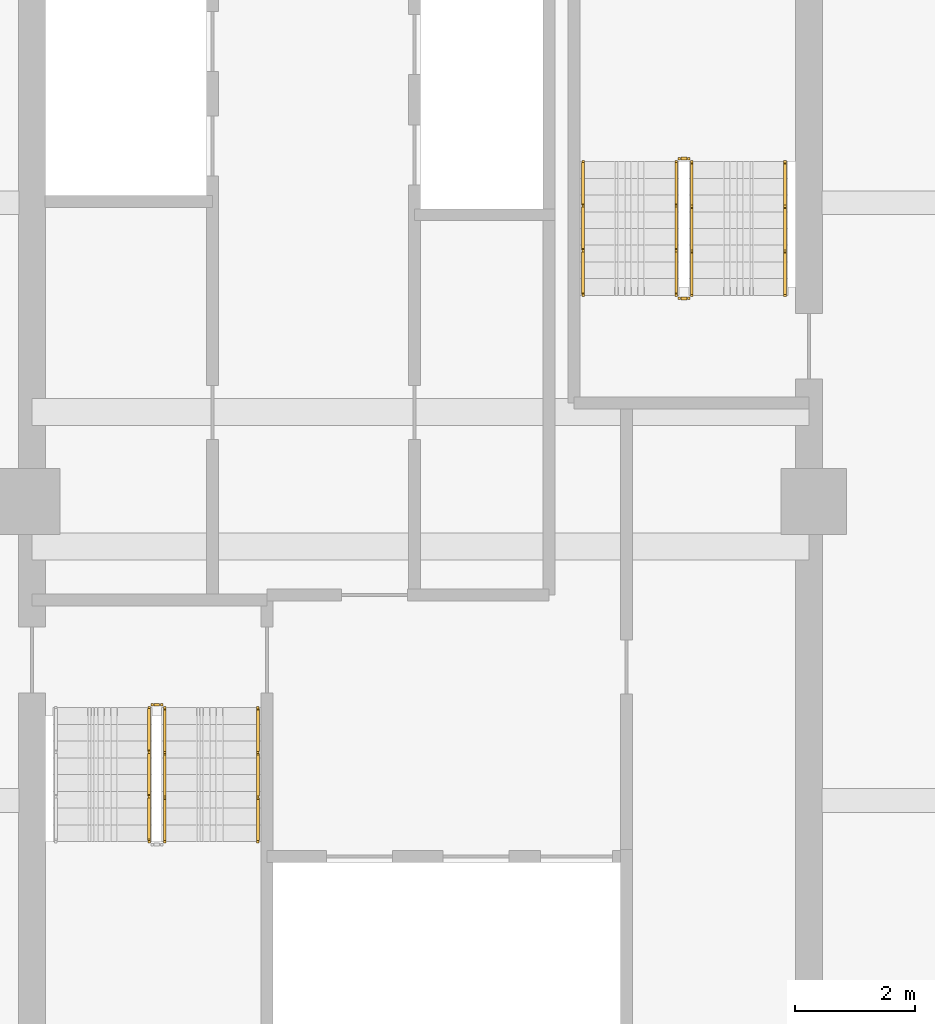
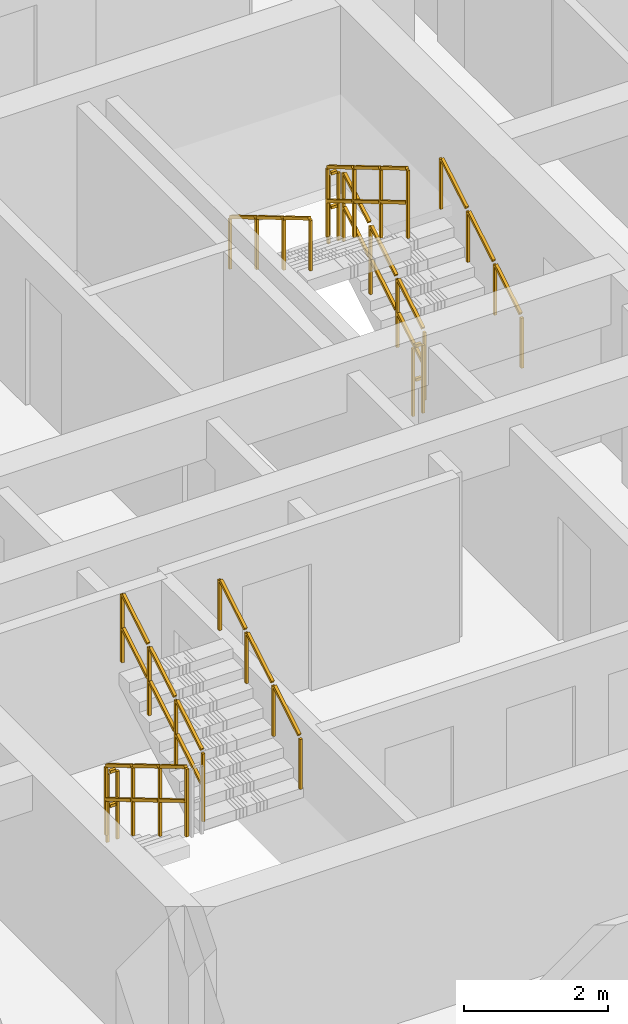
# One storey, part 19 of 21: 10 railings.
"""IFC4 building model written with IfcOpenShell, lengths in metres."""

import ifcopenshell
import ifcopenshell.guid

model = None  # the IFC model being written
_history = None  # IfcOwnerHistory: only IFC2X3 demands one
_inside = {}  # id of a spatial element -> (the spatial element, [elements in it])
_under = {}  # id of a project, library or spatial element -> (it, [spatial elements below it])
_declared = {}  # id of a project -> (the project, [libraries it declares])
_typed = {}  # id of a type object -> (the type object, [elements of that type])
_made_of = {}  # id of a material, layer set ... -> (it, [elements and type objects made of it])


def new_model(schema):
    """Start an empty IFC model of exactly this schema.

    Asked for "IFC4X3", IfcOpenShell would pick the latest addendum, in which some entities
    have other attributes; the version numbers below select the first issue.
    IFC2X3 requires an IfcOwnerHistory on every rooted entity: one is made here for all.
    """
    global model, _history
    if schema == "IFC4X3":
        model = ifcopenshell.file(schema_version=(4, 3, 0, 0))
    else:
        model = ifcopenshell.file(schema=schema)
    _inside.clear()
    _under.clear()
    _declared.clear()
    _typed.clear()
    _made_of.clear()
    _history = None
    if model.schema == "IFC2X3":
        org = make("IfcOrganization", Name="unknown")
        user = make(
            "IfcPersonAndOrganization",
            ThePerson=make("IfcPerson", FamilyName="unknown"),
            TheOrganization=org,
        )
        app = make(
            "IfcApplication",
            ApplicationDeveloper=org,
            Version="unknown",
            ApplicationFullName="unknown",
            ApplicationIdentifier="unknown",
        )
        _history = make(
            "IfcOwnerHistory",
            OwningUser=user,
            OwningApplication=app,
            ChangeAction="ADDED",
            CreationDate=0,
        )
    return model


def make(cls, **values):
    """One entity of the class cls with the attributes given. An attribute that is None is left unset."""
    return model.create_entity(
        cls, **{name: value for name, value in values.items() if value is not None}
    )


def rooted(cls, **values):
    """An entity with a GlobalId (a new one), such as an element, a storey or a relation."""
    return make(cls, GlobalId=ifcopenshell.guid.new(), OwnerHistory=_history, **values)


def si_unit(unit_type, name, prefix=None):
    """IfcSIUnit, for example si_unit("LENGTHUNIT", "METRE", prefix="MILLI")."""
    return make("IfcSIUnit", UnitType=unit_type, Prefix=prefix, Name=name)


def assignment(units):
    """IfcUnitAssignment: the units of a project."""
    return None if units is None else make("IfcUnitAssignment", Units=units)


def point(xyz):
    """IfcCartesianPoint."""
    return None if xyz is None else make("IfcCartesianPoint", Coordinates=xyz)


def direction(xyz):
    """IfcDirection."""
    return None if xyz is None else make("IfcDirection", DirectionRatios=xyz)


def frame(location, z_axis=None, x_axis=None):
    """IfcAxis2Placement3D, a coordinate frame: its origin and axes. An axis left out is left unset."""
    return make(
        "IfcAxis2Placement3D",
        Location=point(location),
        Axis=direction(z_axis),
        RefDirection=direction(x_axis),
    )


def frame_2d(location, x_axis=None):
    """IfcAxis2Placement2D, a coordinate frame in the plane: its origin and x axis."""
    return make(
        "IfcAxis2Placement2D", Location=point(location), RefDirection=direction(x_axis)
    )


def origin():
    """The frame at (0, 0, 0) with its axes left unset."""
    return frame((0.0, 0.0, 0.0))


def origin_2d():
    """The frame at (0, 0) in the plane with its x axis left unset."""
    return frame_2d((0.0, 0.0))


def place(relative_to, where):
    """IfcLocalPlacement: puts the frame where relative to a parent placement (None: the world)."""
    return make(
        "IfcLocalPlacement", PlacementRelTo=relative_to, RelativePlacement=where
    )


def context(
    kind, dimensions, precision=None, world=None, true_north=None, identifier=None
):
    """IfcGeometricRepresentationContext, for example the 3D "Model" context."""
    return make(
        "IfcGeometricRepresentationContext",
        ContextIdentifier=identifier,
        ContextType=kind,
        CoordinateSpaceDimension=dimensions,
        Precision=precision,
        WorldCoordinateSystem=world,
        TrueNorth=true_north,
    )


def subcontext(parent, identifier, kind, view, scale=None):
    """IfcGeometricRepresentationSubContext, for example "Body" below "Model"."""
    return make(
        "IfcGeometricRepresentationSubContext",
        ContextIdentifier=identifier,
        ContextType=kind,
        ParentContext=parent,
        TargetScale=scale,
        TargetView=view,
    )


def project(units=None, contexts=None):
    """IfcProject with its units and contexts."""
    return rooted(
        "IfcProject",
        Name="project",
        RepresentationContexts=contexts,
        UnitsInContext=assignment(units),
    )


def spatial(cls, under=None, at=None, **own):
    """A site, building, storey or space (cls), placed at a placement, below another one or the project."""
    s = rooted(cls, ObjectPlacement=at, **own)
    if under is not None:
        _under.setdefault(under.id(), (under, []))[1].append(s)
    return s


def profile(cls, at=None, kind="AREA", **sizes):
    """A parametric profile (cls). Its sizes go by their IFC names, for example OverallWidth=200.0."""
    return make(cls, ProfileType=kind, Position=at, **sizes)


def rectangle(**sizes):
    """IfcRectangleProfileDef."""
    return profile("IfcRectangleProfileDef", **sizes)


def extrude(swept, where, along, depth):
    """IfcExtrudedAreaSolid: the profile swept, set in the frame where, extruded along a direction by depth."""
    return make(
        "IfcExtrudedAreaSolid",
        SweptArea=swept,
        Position=where,
        ExtrudedDirection=direction(along),
        Depth=depth,
    )


def shape(context_of_items, identifier, shape_type, items):
    """IfcShapeRepresentation: the items that make up one representation, for example the "Body"."""
    return make(
        "IfcShapeRepresentation",
        ContextOfItems=context_of_items,
        RepresentationIdentifier=identifier,
        RepresentationType=shape_type,
        Items=items,
    )


def material(Name=None, Category=None):
    """IfcMaterial."""
    return make("IfcMaterial", Name=Name, Category=Category)


def made_of(thing, what):
    """Note that an element or type object is made of a material, layer set ...; save() writes the relation."""
    if what is not None:
        _made_of.setdefault(what.id(), (what, []))[1].append(thing)
    return thing


def type_object(cls, material=None, **own):
    """A type object (cls), such as IfcWallType, which elements share."""
    return made_of(rooted(cls, **own), material)


def element(
    cls,
    number,
    at=None,
    inside=None,
    cuts=None,
    type_object=None,
    material=None,
    context=None,
    identifier="Body",
    shape_type=None,
    held_by="IfcProductDefinitionShape",
    body=None,
    shapes=None,
    **own,
):
    """One element of the class cls, such as IfcWall. Its Tag is "e" and its number.

    at: its placement. inside: the storey or other place that contains it. cuts: it is an
    opening in that element (IfcRelVoidsElement). A single representation is given by context,
    identifier, shape_type and body (its items); several are given by shapes. held_by: the class
    of the entity that holds the representations. save() writes the other relations.
    """
    e = rooted(cls, Tag="e%d" % number, ObjectPlacement=at, **own)
    if body is not None:
        shapes = [shape(context, identifier, shape_type, body)]
    if shapes is not None:
        e.Representation = make(held_by, Representations=shapes)
    if inside is not None:
        _inside.setdefault(inside.id(), (inside, []))[1].append(e)
    if cuts is not None:
        rooted(
            "IfcRelVoidsElement", RelatingBuildingElement=cuts, RelatedOpeningElement=e
        )
    if type_object is not None:
        _typed.setdefault(type_object.id(), (type_object, []))[1].append(e)
    return made_of(e, material)


def aggregate(whole, parts):
    """IfcRelAggregates: a whole, such as a stair, and the parts it consists of."""
    return rooted("IfcRelAggregates", RelatingObject=whole, RelatedObjects=parts)


def save(model, path):
    """Write the relations noted so far, then the file.

    IfcRelAggregates (storeys below a building ...), IfcRelContainedInSpatialStructure (elements
    in a storey), IfcRelDefinesByType, IfcRelAssociatesMaterial and IfcRelDeclares: one each for
    every whole, place, type object, material and project.
    """
    for whole, parts in _under.values():
        aggregate(whole, parts)
    for where, things in _inside.values():
        rooted(
            "IfcRelContainedInSpatialStructure",
            RelatedElements=things,
            RelatingStructure=where,
        )
    for kind, things in _typed.values():
        rooted("IfcRelDefinesByType", RelatedObjects=things, RelatingType=kind)
    for what, things in _made_of.values():
        rooted("IfcRelAssociatesMaterial", RelatedObjects=things, RelatingMaterial=what)
    for by, libraries in _declared.values():
        rooted("IfcRelDeclares", RelatingContext=by, RelatedDefinitions=libraries)
    model.write(path)


model = new_model("IFC4")

# Units and contexts
model_context = context("Model", 3, precision=1e-05, world=origin(), true_north=direction((0.0, 1.0)))
body_context = subcontext(model_context, "Body", "Model", "MODEL_VIEW")
ifc_project = project(units=[si_unit("LENGTHUNIT", "METRE"), si_unit("AREAUNIT", "SQUARE_METRE"), si_unit("VOLUMEUNIT", "CUBIC_METRE"), si_unit("PLANEANGLEUNIT", "RADIAN"), si_unit("MASSUNIT", "GRAM", prefix="KILO")], contexts=[model_context])

# Site, building, storey
site_placement = place(None, origin())
site = spatial("IfcSite", under=ifc_project, at=site_placement, CompositionType="ELEMENT")
building_placement = place(site_placement, origin())
building = spatial("IfcBuilding", under=site, at=building_placement, Name="Saelheon Loggia Tower", CompositionType="ELEMENT")
storey_placement = place(building_placement, frame((0.0, 0.0, 186.699951171875)))
storey = spatial("IfcBuildingStorey", under=building, at=storey_placement, Name="L58", CompositionType="ELEMENT", Elevation=186.699951171875)

# Railings
ifc_material_1 = material(Name="Galvanised Steel S275 Stairwell Guardrail", Category="steel")
railing_type_1 = type_object("IfcRailingType", Name="Guard_StairWell_RL_STG", PredefinedType="GUARDRAIL", material=ifc_material_1)
railing_1_placement = place(storey_placement, frame((33.4599609375, 23.550048828125, 0.166748046875)))
element("IfcRailing", 1, at=railing_1_placement, inside=storey, type_object=railing_type_1, Name="L58 ST1 stair guard 1", PredefinedType="GUARDRAIL", context=body_context, shape_type="SweptSolid", body=[
    extrude(rectangle(XDim=0.048095703125, YDim=0.048095703125, at=origin_2d()), frame((0.0, -0.028564453125, 1.19287109375), z_axis=(0.0, -0.859305625298, 0.511462454469), x_axis=(1.0, 0.0, 0.0)), (0.0, 0.0, 1.0), 0.802490234375),
    extrude(rectangle(XDim=0.048095703125, YDim=0.048095703125, at=origin_2d()), frame((0.0, -0.028564453125, 0.616943359375), z_axis=(0.0, -0.859305625298, 0.511462454469), x_axis=(1.0, 0.0, 0.0)), (0.0, 0.0, 1.0), 0.802490234375),
    extrude(rectangle(XDim=0.048095703125, YDim=0.048095703125, at=origin_2d()), frame((0.0, -0.775146484375, 1.63720703125), z_axis=(0.0, -0.859305625298, 0.511462454469), x_axis=(1.0, 0.0, 0.0)), (0.0, 0.0, 1.0), 0.802490234375),
    extrude(rectangle(XDim=0.048095703125, YDim=0.048095703125, at=origin_2d()), frame((0.0, -0.775146484375, 1.061279296875), z_axis=(0.0, -0.859305625298, 0.511462454469), x_axis=(1.0, 0.0, 0.0)), (0.0, 0.0, 1.0), 0.802490234375),
    extrude(rectangle(XDim=0.048095703125, YDim=0.048095703125, at=origin_2d()), frame((0.0, -1.52197265625, 2.081787109375), z_axis=(0.0, -0.859305625298, 0.511462454469), x_axis=(1.0, 0.0, 0.0)), (0.0, 0.0, 1.0), 0.802490234375),
    extrude(rectangle(XDim=0.048095703125, YDim=0.048095703125, at=origin_2d()), frame((0.0, -1.52197265625, 1.505859375), z_axis=(0.0, -0.859305625298, 0.511462454469), x_axis=(1.0, 0.0, 0.0)), (0.0, 0.0, 1.0), 0.802490234375),
    extrude(rectangle(XDim=0.0419921875, YDim=0.0419921875, at=origin_2d()), origin(), (0.0, 0.0, 1.0), 1.14794921875),
    extrude(rectangle(XDim=0.0419921875, YDim=0.0419921875, at=origin_2d()), frame((0.0, -0.74658203125, 0.4443359375)), (0.0, 0.0, 1.0), 1.14794921875),
    extrude(rectangle(XDim=0.0419921875, YDim=0.0419921875, at=origin_2d()), frame((0.0, -1.493408203125, 0.888916015625)), (0.0, 0.0, 1.0), 1.14794921875),
    extrude(rectangle(XDim=0.0419921875, YDim=0.0419921875, at=origin_2d()), frame((0.0, -2.239990234375, 1.333251953125)), (0.0, 0.0, 1.0), 1.14794921875),
])
railing_2_placement = place(storey_placement, frame((33.719970703125, 21.31005859375, 1.666748046875)))
element("IfcRailing", 2, at=railing_2_placement, inside=storey, type_object=railing_type_1, Name="L58 ST1 stair guard 3", PredefinedType="GUARDRAIL", context=body_context, shape_type="SweptSolid", body=[
    extrude(rectangle(XDim=0.048095703125, YDim=0.048095703125, at=origin_2d()), frame((0.0, 0.028564453125, 1.19287109375), z_axis=(0.0, 0.859305625298, 0.511462454469), x_axis=(-1.0, 0.0, 0.0)), (0.0, 0.0, 1.0), 0.802490234375),
    extrude(rectangle(XDim=0.048095703125, YDim=0.048095703125, at=origin_2d()), frame((0.0, 0.028564453125, 0.616943359375), z_axis=(0.0, 0.859305625298, 0.511462454469), x_axis=(-1.0, 0.0, 0.0)), (0.0, 0.0, 1.0), 0.802490234375),
    extrude(rectangle(XDim=0.048095703125, YDim=0.048095703125, at=origin_2d()), frame((0.0, 0.775146484375, 1.63720703125), z_axis=(0.0, 0.859305625298, 0.511462454469), x_axis=(-1.0, 0.0, 0.0)), (0.0, 0.0, 1.0), 0.802490234375),
    extrude(rectangle(XDim=0.048095703125, YDim=0.048095703125, at=origin_2d()), frame((0.0, 0.775146484375, 1.061279296875), z_axis=(0.0, 0.859305625298, 0.511462454469), x_axis=(-1.0, 0.0, 0.0)), (0.0, 0.0, 1.0), 0.802490234375),
    extrude(rectangle(XDim=0.048095703125, YDim=0.048095703125, at=origin_2d()), frame((0.0, 1.52197265625, 2.081787109375), z_axis=(0.0, 0.859305625298, 0.511462454469), x_axis=(-1.0, 0.0, 0.0)), (0.0, 0.0, 1.0), 0.802490234375),
    extrude(rectangle(XDim=0.048095703125, YDim=0.048095703125, at=origin_2d()), frame((0.0, 1.52197265625, 1.505859375), z_axis=(0.0, 0.859305625298, 0.511462454469), x_axis=(-1.0, 0.0, 0.0)), (0.0, 0.0, 1.0), 0.802490234375),
    extrude(rectangle(XDim=0.0419921875, YDim=0.0419921875, at=origin_2d()), origin(), (0.0, 0.0, 1.0), 1.14794921875),
    extrude(rectangle(XDim=0.0419921875, YDim=0.0419921875, at=origin_2d()), frame((0.0, 0.74658203125, 0.4443359375)), (0.0, 0.0, 1.0), 1.14794921875),
    extrude(rectangle(XDim=0.0419921875, YDim=0.0419921875, at=origin_2d()), frame((0.0, 1.493408203125, 0.888916015625)), (0.0, 0.0, 1.0), 1.14794921875),
    extrude(rectangle(XDim=0.0419921875, YDim=0.0419921875, at=origin_2d()), frame((0.0, 2.239990234375, 1.333251953125)), (0.0, 0.0, 1.0), 1.14794921875),
])
railing_3_placement = place(storey_placement, frame((33.510009765625, 23.60009765625, 0.0)))
element("IfcRailing", 3, at=railing_3_placement, inside=storey, type_object=railing_type_1, Name="L58 ST1 stair guard 4", PredefinedType="GUARDRAIL", context=body_context, shape_type="SweptSolid", body=[
    extrude(rectangle(XDim=0.048095703125, YDim=0.048095703125, at=origin_2d()), frame((0.033203125, 0.0, 1.17578125), z_axis=(1.0, 0.0, 0.0), x_axis=(0.0, 1.0, 0.0)), (0.0, 0.0, 1.0), 0.093505859375),
    extrude(rectangle(XDim=0.048095703125, YDim=0.048095703125, at=origin_2d()), frame((0.033203125, 0.0, 0.60009765625), z_axis=(1.0, 0.0, 0.0), x_axis=(0.0, 1.0, 0.0)), (0.0, 0.0, 1.0), 0.093505859375),
    extrude(rectangle(XDim=0.0419921875, YDim=0.0419921875, at=origin_2d()), origin(), (0.0, 0.0, 1.0), 1.14794921875),
    extrude(rectangle(XDim=0.0419921875, YDim=0.0419921875, at=origin_2d()), frame((0.159912109375, 0.0, 0.0)), (0.0, 0.0, 1.0), 1.14794921875),
])
railing_4_placement = place(storey_placement, frame((42.5400390625, 30.449951171875, 0.166748046875)))
element("IfcRailing", 4, at=railing_4_placement, inside=storey, type_object=railing_type_1, Name="L58 ST2 stair guard 1", PredefinedType="GUARDRAIL", context=body_context, shape_type="SweptSolid", body=[
    extrude(rectangle(XDim=0.048095703125, YDim=0.048095703125, at=origin_2d()), frame((0.0, 0.028564453125, 1.19287109375), z_axis=(0.0, 0.859305625298, 0.511462454469), x_axis=(-1.0, 0.0, 0.0)), (0.0, 0.0, 1.0), 0.802490234375),
    extrude(rectangle(XDim=0.048095703125, YDim=0.048095703125, at=origin_2d()), frame((0.0, 0.028564453125, 0.616943359375), z_axis=(0.0, 0.859305625298, 0.511462454469), x_axis=(-1.0, 0.0, 0.0)), (0.0, 0.0, 1.0), 0.802490234375),
    extrude(rectangle(XDim=0.048095703125, YDim=0.048095703125, at=origin_2d()), frame((0.0, 0.775146484375, 1.63720703125), z_axis=(0.0, 0.859305625298, 0.511462454469), x_axis=(-1.0, 0.0, 0.0)), (0.0, 0.0, 1.0), 0.802490234375),
    extrude(rectangle(XDim=0.048095703125, YDim=0.048095703125, at=origin_2d()), frame((0.0, 0.775146484375, 1.061279296875), z_axis=(0.0, 0.859305625298, 0.511462454469), x_axis=(-1.0, 0.0, 0.0)), (0.0, 0.0, 1.0), 0.802490234375),
    extrude(rectangle(XDim=0.048095703125, YDim=0.048095703125, at=origin_2d()), frame((0.0, 1.52197265625, 2.081787109375), z_axis=(0.0, 0.859305625298, 0.511462454469), x_axis=(-1.0, 0.0, 0.0)), (0.0, 0.0, 1.0), 0.802490234375),
    extrude(rectangle(XDim=0.048095703125, YDim=0.048095703125, at=origin_2d()), frame((0.0, 1.52197265625, 1.505859375), z_axis=(0.0, 0.859305625298, 0.511462454469), x_axis=(-1.0, 0.0, 0.0)), (0.0, 0.0, 1.0), 0.802490234375),
    extrude(rectangle(XDim=0.0419921875, YDim=0.0419921875, at=origin_2d()), origin(), (0.0, 0.0, 1.0), 1.14794921875),
    extrude(rectangle(XDim=0.0419921875, YDim=0.0419921875, at=origin_2d()), frame((0.0, 0.74658203125, 0.4443359375)), (0.0, 0.0, 1.0), 1.14794921875),
    extrude(rectangle(XDim=0.0419921875, YDim=0.0419921875, at=origin_2d()), frame((0.0, 1.493408203125, 0.888916015625)), (0.0, 0.0, 1.0), 1.14794921875),
    extrude(rectangle(XDim=0.0419921875, YDim=0.0419921875, at=origin_2d()), frame((0.0, 2.239990234375, 1.333251953125)), (0.0, 0.0, 1.0), 1.14794921875),
])
railing_5_placement = place(storey_placement, frame((42.489990234375, 32.739990234375, 1.5)))
element("IfcRailing", 5, at=railing_5_placement, inside=storey, type_object=railing_type_1, Name="L58 ST2 stair guard 2", PredefinedType="GUARDRAIL", context=body_context, shape_type="SweptSolid", body=[
    extrude(rectangle(XDim=0.048095703125, YDim=0.048095703125, at=origin_2d()), frame((-0.033203125, 0.0, 1.17578125), z_axis=(-1.0, 0.0, 0.0), x_axis=(0.0, -1.0, 0.0)), (0.0, 0.0, 1.0), 0.093505859375),
    extrude(rectangle(XDim=0.048095703125, YDim=0.048095703125, at=origin_2d()), frame((-0.033203125, 0.0, 0.60009765625), z_axis=(-1.0, 0.0, 0.0), x_axis=(0.0, -1.0, 0.0)), (0.0, 0.0, 1.0), 0.093505859375),
    extrude(rectangle(XDim=0.0419921875, YDim=0.0419921875, at=origin_2d()), origin(), (0.0, 0.0, 1.0), 1.14794921875),
    extrude(rectangle(XDim=0.0419921875, YDim=0.0419921875, at=origin_2d()), frame((-0.159912109375, 0.0, 0.0)), (0.0, 0.0, 1.0), 1.14794921875),
])
railing_6_placement = place(storey_placement, frame((42.280029296875, 32.68994140625, 1.666748046875)))
element("IfcRailing", 6, at=railing_6_placement, inside=storey, type_object=railing_type_1, Name="L58 ST2 stair guard 3", PredefinedType="GUARDRAIL", context=body_context, shape_type="SweptSolid", body=[
    extrude(rectangle(XDim=0.048095703125, YDim=0.048095703125, at=origin_2d()), frame((0.0, -0.028564453125, 1.19287109375), z_axis=(0.0, -0.859305625298, 0.511462454469), x_axis=(1.0, 0.0, 0.0)), (0.0, 0.0, 1.0), 0.802490234375),
    extrude(rectangle(XDim=0.048095703125, YDim=0.048095703125, at=origin_2d()), frame((0.0, -0.028564453125, 0.616943359375), z_axis=(0.0, -0.859305625298, 0.511462454469), x_axis=(1.0, 0.0, 0.0)), (0.0, 0.0, 1.0), 0.802490234375),
    extrude(rectangle(XDim=0.048095703125, YDim=0.048095703125, at=origin_2d()), frame((0.0, -0.775146484375, 1.63720703125), z_axis=(0.0, -0.859305625298, 0.511462454469), x_axis=(1.0, 0.0, 0.0)), (0.0, 0.0, 1.0), 0.802490234375),
    extrude(rectangle(XDim=0.048095703125, YDim=0.048095703125, at=origin_2d()), frame((0.0, -0.775146484375, 1.061279296875), z_axis=(0.0, -0.859305625298, 0.511462454469), x_axis=(1.0, 0.0, 0.0)), (0.0, 0.0, 1.0), 0.802490234375),
    extrude(rectangle(XDim=0.048095703125, YDim=0.048095703125, at=origin_2d()), frame((0.0, -1.52197265625, 2.081787109375), z_axis=(0.0, -0.859305625298, 0.511462454469), x_axis=(1.0, 0.0, 0.0)), (0.0, 0.0, 1.0), 0.802490234375),
    extrude(rectangle(XDim=0.048095703125, YDim=0.048095703125, at=origin_2d()), frame((0.0, -1.52197265625, 1.505859375), z_axis=(0.0, -0.859305625298, 0.511462454469), x_axis=(1.0, 0.0, 0.0)), (0.0, 0.0, 1.0), 0.802490234375),
    extrude(rectangle(XDim=0.0419921875, YDim=0.0419921875, at=origin_2d()), origin(), (0.0, 0.0, 1.0), 1.14794921875),
    extrude(rectangle(XDim=0.0419921875, YDim=0.0419921875, at=origin_2d()), frame((0.0, -0.74658203125, 0.4443359375)), (0.0, 0.0, 1.0), 1.14794921875),
    extrude(rectangle(XDim=0.0419921875, YDim=0.0419921875, at=origin_2d()), frame((0.0, -1.493408203125, 0.888916015625)), (0.0, 0.0, 1.0), 1.14794921875),
    extrude(rectangle(XDim=0.0419921875, YDim=0.0419921875, at=origin_2d()), frame((0.0, -2.239990234375, 1.333251953125)), (0.0, 0.0, 1.0), 1.14794921875),
])
railing_7_placement = place(storey_placement, frame((42.489990234375, 30.39990234375, 0.0)))
element("IfcRailing", 7, at=railing_7_placement, inside=storey, type_object=railing_type_1, Name="L58 ST2 stair guard 4", PredefinedType="GUARDRAIL", context=body_context, shape_type="SweptSolid", body=[
    extrude(rectangle(XDim=0.048095703125, YDim=0.048095703125, at=origin_2d()), frame((-0.033203125, 0.0, 1.17578125), z_axis=(-1.0, 0.0, 0.0), x_axis=(0.0, -1.0, 0.0)), (0.0, 0.0, 1.0), 0.093505859375),
    extrude(rectangle(XDim=0.048095703125, YDim=0.048095703125, at=origin_2d()), frame((-0.033203125, 0.0, 0.60009765625), z_axis=(-1.0, 0.0, 0.0), x_axis=(0.0, -1.0, 0.0)), (0.0, 0.0, 1.0), 0.093505859375),
    extrude(rectangle(XDim=0.0419921875, YDim=0.0419921875, at=origin_2d()), origin(), (0.0, 0.0, 1.0), 1.14794921875),
    extrude(rectangle(XDim=0.0419921875, YDim=0.0419921875, at=origin_2d()), frame((-0.159912109375, 0.0, 0.0)), (0.0, 0.0, 1.0), 1.14794921875),
])
ifc_material_2 = material(Name="Stainless Steel 304 Tubular Handrail", Category="steel")
railing_type_2 = type_object("IfcRailingType", Name="Handrail_Stair_RL_HR1", PredefinedType="HANDRAIL", material=ifc_material_2)
for number, where, name in (
    (8, (35.280029296875, 21.31005859375, 1.666748046875), "L58 ST1 stair handrail 2"),
    (9, (44.10009765625, 30.449951171875, 0.166748046875), "L58 ST2 stair handrail 1"),
):
    element("IfcRailing", number, at=place(storey_placement, frame(where)), inside=storey, type_object=railing_type_2, Name=name, PredefinedType="HANDRAIL", context=body_context, shape_type="SweptSolid", body=[
        extrude(rectangle(XDim=0.048095703125, YDim=0.048095703125, at=origin_2d()), frame((0.0, 0.028564453125, 0.892822265625), z_axis=(0.0, 0.859305625298, 0.511462454469), x_axis=(-1.0, 0.0, 0.0)), (0.0, 0.0, 1.0), 0.802490234375),
        extrude(rectangle(XDim=0.048095703125, YDim=0.048095703125, at=origin_2d()), frame((0.0, 0.775146484375, 1.337158203125), z_axis=(0.0, 0.859305625298, 0.511462454469), x_axis=(-1.0, 0.0, 0.0)), (0.0, 0.0, 1.0), 0.802490234375),
        extrude(rectangle(XDim=0.048095703125, YDim=0.048095703125, at=origin_2d()), frame((0.0, 1.52197265625, 1.78173828125), z_axis=(0.0, 0.859305625298, 0.511462454469), x_axis=(-1.0, 0.0, 0.0)), (0.0, 0.0, 1.0), 0.802490234375),
        extrude(rectangle(XDim=0.0419921875, YDim=0.0419921875, at=origin_2d()), origin(), (0.0, 0.0, 1.0), 0.847900390625),
        extrude(rectangle(XDim=0.0419921875, YDim=0.0419921875, at=origin_2d()), frame((0.0, 0.74658203125, 0.4443359375)), (0.0, 0.0, 1.0), 0.847900390625),
        extrude(rectangle(XDim=0.0419921875, YDim=0.0419921875, at=origin_2d()), frame((0.0, 1.493408203125, 0.888916015625)), (0.0, 0.0, 1.0), 0.847900390625),
        extrude(rectangle(XDim=0.0419921875, YDim=0.0419921875, at=origin_2d()), frame((0.0, 2.239990234375, 1.333251953125)), (0.0, 0.0, 1.0), 0.847900390625),
    ])
railing_8_placement = place(storey_placement, frame((40.719970703125, 32.68994140625, 1.666748046875)))
element("IfcRailing", 10, at=railing_8_placement, inside=storey, type_object=railing_type_2, Name="L58 ST2 stair handrail 2", PredefinedType="HANDRAIL", context=body_context, shape_type="SweptSolid", body=[
    extrude(rectangle(XDim=0.048095703125, YDim=0.048095703125, at=origin_2d()), frame((0.0, -0.028564453125, 0.892822265625), z_axis=(0.0, -0.859305625298, 0.511462454469), x_axis=(1.0, 0.0, 0.0)), (0.0, 0.0, 1.0), 0.802490234375),
    extrude(rectangle(XDim=0.048095703125, YDim=0.048095703125, at=origin_2d()), frame((0.0, -0.775146484375, 1.337158203125), z_axis=(0.0, -0.859305625298, 0.511462454469), x_axis=(1.0, 0.0, 0.0)), (0.0, 0.0, 1.0), 0.802490234375),
    extrude(rectangle(XDim=0.048095703125, YDim=0.048095703125, at=origin_2d()), frame((0.0, -1.52197265625, 1.78173828125), z_axis=(0.0, -0.859305625298, 0.511462454469), x_axis=(1.0, 0.0, 0.0)), (0.0, 0.0, 1.0), 0.802490234375),
    extrude(rectangle(XDim=0.0419921875, YDim=0.0419921875, at=origin_2d()), origin(), (0.0, 0.0, 1.0), 0.847900390625),
    extrude(rectangle(XDim=0.0419921875, YDim=0.0419921875, at=origin_2d()), frame((0.0, -0.74658203125, 0.4443359375)), (0.0, 0.0, 1.0), 0.847900390625),
    extrude(rectangle(XDim=0.0419921875, YDim=0.0419921875, at=origin_2d()), frame((0.0, -1.493408203125, 0.888916015625)), (0.0, 0.0, 1.0), 0.847900390625),
    extrude(rectangle(XDim=0.0419921875, YDim=0.0419921875, at=origin_2d()), frame((0.0, -2.239990234375, 1.333251953125)), (0.0, 0.0, 1.0), 0.847900390625),
])

save(model, "model.ifc")
